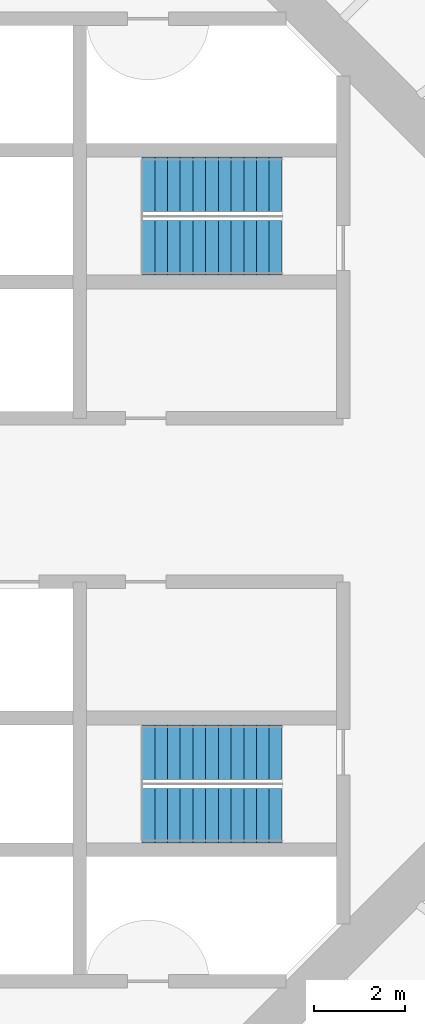
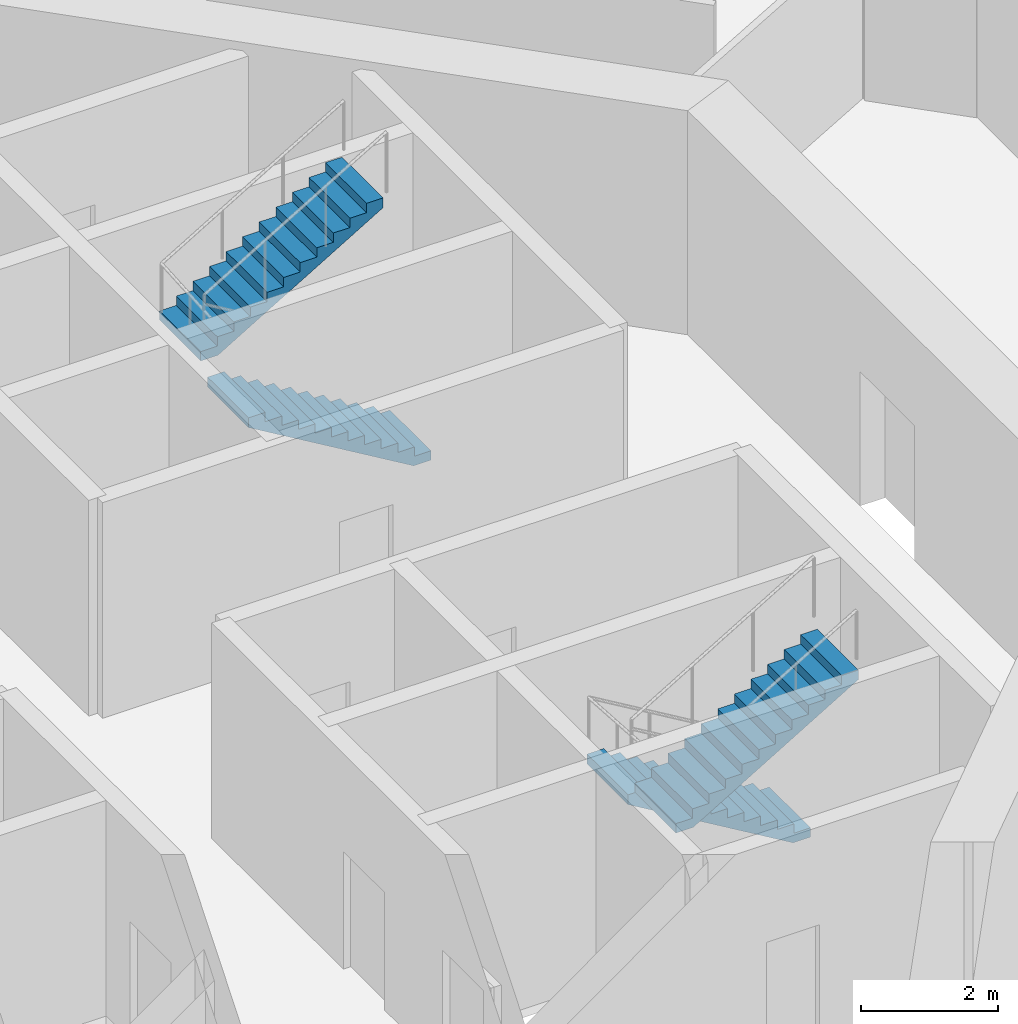
# One storey, part 6 of 13: 4 stair flights, 2 elements without a shape of their own.
"""IFC4 building model written with IfcOpenShell, lengths in metres."""

import ifcopenshell
import ifcopenshell.guid

model = None  # the IFC model being written
_history = None  # IfcOwnerHistory: only IFC2X3 demands one
_inside = {}  # id of a spatial element -> (the spatial element, [elements in it])
_under = {}  # id of a project, library or spatial element -> (it, [spatial elements below it])
_declared = {}  # id of a project -> (the project, [libraries it declares])
_typed = {}  # id of a type object -> (the type object, [elements of that type])
_made_of = {}  # id of a material, layer set ... -> (it, [elements and type objects made of it])


def new_model(schema):
    """Start an empty IFC model of exactly this schema.

    Asked for "IFC4X3", IfcOpenShell would pick the latest addendum, in which some entities
    have other attributes; the version numbers below select the first issue.
    IFC2X3 requires an IfcOwnerHistory on every rooted entity: one is made here for all.
    """
    global model, _history
    if schema == "IFC4X3":
        model = ifcopenshell.file(schema_version=(4, 3, 0, 0))
    else:
        model = ifcopenshell.file(schema=schema)
    _inside.clear()
    _under.clear()
    _declared.clear()
    _typed.clear()
    _made_of.clear()
    _history = None
    if model.schema == "IFC2X3":
        org = make("IfcOrganization", Name="unknown")
        user = make(
            "IfcPersonAndOrganization",
            ThePerson=make("IfcPerson", FamilyName="unknown"),
            TheOrganization=org,
        )
        app = make(
            "IfcApplication",
            ApplicationDeveloper=org,
            Version="unknown",
            ApplicationFullName="unknown",
            ApplicationIdentifier="unknown",
        )
        _history = make(
            "IfcOwnerHistory",
            OwningUser=user,
            OwningApplication=app,
            ChangeAction="ADDED",
            CreationDate=0,
        )
    return model


def make(cls, **values):
    """One entity of the class cls with the attributes given. An attribute that is None is left unset."""
    return model.create_entity(
        cls, **{name: value for name, value in values.items() if value is not None}
    )


def rooted(cls, **values):
    """An entity with a GlobalId (a new one), such as an element, a storey or a relation."""
    return make(cls, GlobalId=ifcopenshell.guid.new(), OwnerHistory=_history, **values)


def si_unit(unit_type, name, prefix=None):
    """IfcSIUnit, for example si_unit("LENGTHUNIT", "METRE", prefix="MILLI")."""
    return make("IfcSIUnit", UnitType=unit_type, Prefix=prefix, Name=name)


def assignment(units):
    """IfcUnitAssignment: the units of a project."""
    return None if units is None else make("IfcUnitAssignment", Units=units)


def point(xyz):
    """IfcCartesianPoint."""
    return None if xyz is None else make("IfcCartesianPoint", Coordinates=xyz)


def direction(xyz):
    """IfcDirection."""
    return None if xyz is None else make("IfcDirection", DirectionRatios=xyz)


def frame(location, z_axis=None, x_axis=None):
    """IfcAxis2Placement3D, a coordinate frame: its origin and axes. An axis left out is left unset."""
    return make(
        "IfcAxis2Placement3D",
        Location=point(location),
        Axis=direction(z_axis),
        RefDirection=direction(x_axis),
    )


def origin():
    """The frame at (0, 0, 0) with its axes left unset."""
    return frame((0.0, 0.0, 0.0))


def place(relative_to, where):
    """IfcLocalPlacement: puts the frame where relative to a parent placement (None: the world)."""
    return make(
        "IfcLocalPlacement", PlacementRelTo=relative_to, RelativePlacement=where
    )


def context(
    kind, dimensions, precision=None, world=None, true_north=None, identifier=None
):
    """IfcGeometricRepresentationContext, for example the 3D "Model" context."""
    return make(
        "IfcGeometricRepresentationContext",
        ContextIdentifier=identifier,
        ContextType=kind,
        CoordinateSpaceDimension=dimensions,
        Precision=precision,
        WorldCoordinateSystem=world,
        TrueNorth=true_north,
    )


def subcontext(parent, identifier, kind, view, scale=None):
    """IfcGeometricRepresentationSubContext, for example "Body" below "Model"."""
    return make(
        "IfcGeometricRepresentationSubContext",
        ContextIdentifier=identifier,
        ContextType=kind,
        ParentContext=parent,
        TargetScale=scale,
        TargetView=view,
    )


def project(units=None, contexts=None):
    """IfcProject with its units and contexts."""
    return rooted(
        "IfcProject",
        Name="project",
        RepresentationContexts=contexts,
        UnitsInContext=assignment(units),
    )


def spatial(cls, under=None, at=None, **own):
    """A site, building, storey or space (cls), placed at a placement, below another one or the project."""
    s = rooted(cls, ObjectPlacement=at, **own)
    if under is not None:
        _under.setdefault(under.id(), (under, []))[1].append(s)
    return s


def polyline(points):
    """IfcPolyline through the points."""
    return make("IfcPolyline", Points=[point(p) for p in points])


def outline(outer, holes=None, kind="AREA"):
    """IfcArbitraryClosedProfileDef: a profile drawn as a closed curve; with holes, ...WithVoids."""
    if holes is None:
        return make("IfcArbitraryClosedProfileDef", ProfileType=kind, OuterCurve=outer)
    return make(
        "IfcArbitraryProfileDefWithVoids",
        ProfileType=kind,
        OuterCurve=outer,
        InnerCurves=holes,
    )


def extrude(swept, where, along, depth):
    """IfcExtrudedAreaSolid: the profile swept, set in the frame where, extruded along a direction by depth."""
    return make(
        "IfcExtrudedAreaSolid",
        SweptArea=swept,
        Position=where,
        ExtrudedDirection=direction(along),
        Depth=depth,
    )


def shape(context_of_items, identifier, shape_type, items):
    """IfcShapeRepresentation: the items that make up one representation, for example the "Body"."""
    return make(
        "IfcShapeRepresentation",
        ContextOfItems=context_of_items,
        RepresentationIdentifier=identifier,
        RepresentationType=shape_type,
        Items=items,
    )


def material(Name=None, Category=None):
    """IfcMaterial."""
    return make("IfcMaterial", Name=Name, Category=Category)


def made_of(thing, what):
    """Note that an element or type object is made of a material, layer set ...; save() writes the relation."""
    if what is not None:
        _made_of.setdefault(what.id(), (what, []))[1].append(thing)
    return thing


def type_object(cls, material=None, **own):
    """A type object (cls), such as IfcWallType, which elements share."""
    return made_of(rooted(cls, **own), material)


def element(
    cls,
    number,
    at=None,
    inside=None,
    cuts=None,
    type_object=None,
    material=None,
    context=None,
    identifier="Body",
    shape_type=None,
    held_by="IfcProductDefinitionShape",
    body=None,
    shapes=None,
    **own,
):
    """One element of the class cls, such as IfcWall. Its Tag is "e" and its number.

    at: its placement. inside: the storey or other place that contains it. cuts: it is an
    opening in that element (IfcRelVoidsElement). A single representation is given by context,
    identifier, shape_type and body (its items); several are given by shapes. held_by: the class
    of the entity that holds the representations. save() writes the other relations.
    """
    e = rooted(cls, Tag="e%d" % number, ObjectPlacement=at, **own)
    if body is not None:
        shapes = [shape(context, identifier, shape_type, body)]
    if shapes is not None:
        e.Representation = make(held_by, Representations=shapes)
    if inside is not None:
        _inside.setdefault(inside.id(), (inside, []))[1].append(e)
    if cuts is not None:
        rooted(
            "IfcRelVoidsElement", RelatingBuildingElement=cuts, RelatedOpeningElement=e
        )
    if type_object is not None:
        _typed.setdefault(type_object.id(), (type_object, []))[1].append(e)
    return made_of(e, material)


def aggregate(whole, parts):
    """IfcRelAggregates: a whole, such as a stair, and the parts it consists of."""
    return rooted("IfcRelAggregates", RelatingObject=whole, RelatedObjects=parts)


def save(model, path):
    """Write the relations noted so far, then the file.

    IfcRelAggregates (storeys below a building ...), IfcRelContainedInSpatialStructure (elements
    in a storey), IfcRelDefinesByType, IfcRelAssociatesMaterial and IfcRelDeclares: one each for
    every whole, place, type object, material and project.
    """
    for whole, parts in _under.values():
        aggregate(whole, parts)
    for where, things in _inside.values():
        rooted(
            "IfcRelContainedInSpatialStructure",
            RelatedElements=things,
            RelatingStructure=where,
        )
    for kind, things in _typed.values():
        rooted("IfcRelDefinesByType", RelatedObjects=things, RelatingType=kind)
    for what, things in _made_of.values():
        rooted("IfcRelAssociatesMaterial", RelatedObjects=things, RelatingMaterial=what)
    for by, libraries in _declared.values():
        rooted("IfcRelDeclares", RelatingContext=by, RelatedDefinitions=libraries)
    model.write(path)


model = new_model("IFC4")

# Units and contexts
model_context = context("Model", 3, precision=1e-05, world=origin(), true_north=direction((0.0, 1.0)))
body_context = subcontext(model_context, "Body", "Model", "MODEL_VIEW")
ifc_project = project(units=[si_unit("LENGTHUNIT", "METRE"), si_unit("AREAUNIT", "SQUARE_METRE"), si_unit("VOLUMEUNIT", "CUBIC_METRE"), si_unit("PLANEANGLEUNIT", "RADIAN"), si_unit("MASSUNIT", "GRAM", prefix="KILO")], contexts=[model_context])

# Site, building, storey
site_placement = place(None, origin())
site = spatial("IfcSite", under=ifc_project, at=site_placement, CompositionType="ELEMENT")
building_placement = place(site_placement, origin())
building = spatial("IfcBuilding", under=site, at=building_placement, Name="Entoto Ring Tower", CompositionType="ELEMENT")
storey_placement = place(building_placement, frame((0.0, 0.0, 218.0)))
storey = spatial("IfcBuildingStorey", under=building, at=storey_placement, Name="L50", CompositionType="ELEMENT", Elevation=218.0)

# Stair, stair flights
ifc_material_1 = material(Name="Concrete C40/50", Category="concrete")
stair_type = type_object("IfcStairType", Name="Exit stair 1200 mm dog-leg reinforced concrete", PredefinedType="HALF_TURN_STAIR", material=ifc_material_1)
stair_1_placement = place(storey_placement, origin())
stair_1 = element("IfcStair", 1, at=stair_1_placement, inside=storey, type_object=stair_type, Name="Exit stair 1", PredefinedType="HALF_TURN_STAIR")
ifc_material_2 = material(Name="Concrete C40/50", Category="concrete")
stair_flight_type = type_object("IfcStairFlightType", Name="Stair flight 1200 mm reinforced concrete", PredefinedType="STRAIGHT", material=ifc_material_2)
stair_flight_1_placement = place(storey_placement, frame((99.25, 85.550048828125, 0.0), z_axis=(0.0, 0.0, 1.0), x_axis=(-1.0, 0.0, 0.0)))
stair_flight_1 = element("IfcStairFlight", 2, at=stair_flight_1_placement, type_object=stair_flight_type, Name="ST1 flight 1", NumberOfRisers=12, NumberOfTreads=11, PredefinedType="STRAIGHT", RiserHeight=0.166666667, TreadLength=0.28, context=body_context, shape_type="SweptSolid", body=[
    extrude(outline(polyline([(0.0, 0.0), (0.0, 0.166748046875), (0.280029296875, 0.166748046875), (0.280029296875, 0.333251953125), (0.56005859375, 0.333251953125), (0.56005859375, 0.5), (0.840087890625, 0.5), (0.840087890625, 0.666748046875), (1.1201171875, 0.666748046875), (1.1201171875, 0.833251953125), (1.39990234375, 0.833251953125), (1.39990234375, 1.0), (1.679931640625, 1.0), (1.679931640625, 1.166748046875), (1.9599609375, 1.166748046875), (1.9599609375, 1.333251953125), (2.239990234375, 1.333251953125), (2.239990234375, 1.5), (2.52001953125, 1.5), (2.52001953125, 1.666748046875), (2.800048828125, 1.666748046875), (2.800048828125, 1.833251953125), (3.080078125, 1.833251953125), (3.080078125, 2.0), (3.080078125, 1.658935546875), (0.29296875, 0.0), (0.0, 0.0)])), frame((0.0, 0.60009765625, 0.0), z_axis=(0.0, -1.0, 0.0), x_axis=(1.0, 0.0, 0.0)), (0.0, 0.0, 1.0), 1.199951171875),
])
stair_flight_2_placement = place(storey_placement, frame((96.169921875, 86.949951171875, 2.0), z_axis=(0.0, 0.0, 1.0), x_axis=(1.0, 0.0, 0.0)))
stair_flight_2 = element("IfcStairFlight", 3, at=stair_flight_2_placement, type_object=stair_flight_type, Name="ST1 flight 2", NumberOfRisers=12, NumberOfTreads=11, PredefinedType="STRAIGHT", RiserHeight=0.166666667, TreadLength=0.28, context=body_context, shape_type="SweptSolid", body=[
    extrude(outline(polyline([(0.0, 0.0), (0.0, 0.166748046875), (0.280029296875, 0.166748046875), (0.280029296875, 0.333251953125), (0.56005859375, 0.333251953125), (0.56005859375, 0.5), (0.840087890625, 0.5), (0.840087890625, 0.666748046875), (1.1201171875, 0.666748046875), (1.1201171875, 0.833251953125), (1.39990234375, 0.833251953125), (1.39990234375, 1.0), (1.679931640625, 1.0), (1.679931640625, 1.166748046875), (1.9599609375, 1.166748046875), (1.9599609375, 1.333251953125), (2.239990234375, 1.333251953125), (2.239990234375, 1.5), (2.52001953125, 1.5), (2.52001953125, 1.666748046875), (2.800048828125, 1.666748046875), (2.800048828125, 1.833251953125), (3.080078125, 1.833251953125), (3.080078125, 2.0), (3.080078125, 1.658935546875), (0.29296875, 0.0), (0.0, 0.0)])), frame((0.0, 0.60009765625, 0.0), z_axis=(0.0, -1.0, 0.0), x_axis=(1.0, 0.0, 0.0)), (0.0, 0.0, 1.0), 1.199951171875),
])
aggregate(stair_1, [stair_flight_1, stair_flight_2])

stair_2_placement = place(storey_placement, origin())
stair_2 = element("IfcStair", 4, at=stair_2_placement, inside=storey, type_object=stair_type, Name="Exit stair 3", PredefinedType="HALF_TURN_STAIR")
stair_flight_3_placement = place(storey_placement, frame((99.25, 74.449951171875, 0.0), z_axis=(0.0, 0.0, 1.0), x_axis=(-1.0, 0.0, 0.0)))
stair_flight_3 = element("IfcStairFlight", 5, at=stair_flight_3_placement, type_object=stair_flight_type, Name="ST3 flight 1", NumberOfRisers=12, NumberOfTreads=11, PredefinedType="STRAIGHT", RiserHeight=0.166666667, TreadLength=0.28, context=body_context, shape_type="SweptSolid", body=[
    extrude(outline(polyline([(0.0, 0.0), (0.0, 0.166748046875), (0.280029296875, 0.166748046875), (0.280029296875, 0.333251953125), (0.56005859375, 0.333251953125), (0.56005859375, 0.5), (0.840087890625, 0.5), (0.840087890625, 0.666748046875), (1.1201171875, 0.666748046875), (1.1201171875, 0.833251953125), (1.39990234375, 0.833251953125), (1.39990234375, 1.0), (1.679931640625, 1.0), (1.679931640625, 1.166748046875), (1.9599609375, 1.166748046875), (1.9599609375, 1.333251953125), (2.239990234375, 1.333251953125), (2.239990234375, 1.5), (2.52001953125, 1.5), (2.52001953125, 1.666748046875), (2.800048828125, 1.666748046875), (2.800048828125, 1.833251953125), (3.080078125, 1.833251953125), (3.080078125, 2.0), (3.080078125, 1.658935546875), (0.29296875, 0.0), (0.0, 0.0)])), frame((0.0, 0.60009765625, 0.0), z_axis=(0.0, -1.0, 0.0), x_axis=(1.0, 0.0, 0.0)), (0.0, 0.0, 1.0), 1.199951171875),
])
stair_flight_4_placement = place(storey_placement, frame((96.169921875, 73.050048828125, 2.0), z_axis=(0.0, 0.0, 1.0), x_axis=(1.0, 0.0, 0.0)))
stair_flight_4 = element("IfcStairFlight", 6, at=stair_flight_4_placement, type_object=stair_flight_type, Name="ST3 flight 2", NumberOfRisers=12, NumberOfTreads=11, PredefinedType="STRAIGHT", RiserHeight=0.166666667, TreadLength=0.28, context=body_context, shape_type="SweptSolid", body=[
    extrude(outline(polyline([(0.0, 0.0), (0.0, 0.166748046875), (0.280029296875, 0.166748046875), (0.280029296875, 0.333251953125), (0.56005859375, 0.333251953125), (0.56005859375, 0.5), (0.840087890625, 0.5), (0.840087890625, 0.666748046875), (1.1201171875, 0.666748046875), (1.1201171875, 0.833251953125), (1.39990234375, 0.833251953125), (1.39990234375, 1.0), (1.679931640625, 1.0), (1.679931640625, 1.166748046875), (1.9599609375, 1.166748046875), (1.9599609375, 1.333251953125), (2.239990234375, 1.333251953125), (2.239990234375, 1.5), (2.52001953125, 1.5), (2.52001953125, 1.666748046875), (2.800048828125, 1.666748046875), (2.800048828125, 1.833251953125), (3.080078125, 1.833251953125), (3.080078125, 2.0), (3.080078125, 1.658935546875), (0.29296875, 0.0), (0.0, 0.0)])), frame((0.0, 0.60009765625, 0.0), z_axis=(0.0, -1.0, 0.0), x_axis=(1.0, 0.0, 0.0)), (0.0, 0.0, 1.0), 1.199951171875),
])
aggregate(stair_2, [stair_flight_3, stair_flight_4])

save(model, "model.ifc")
